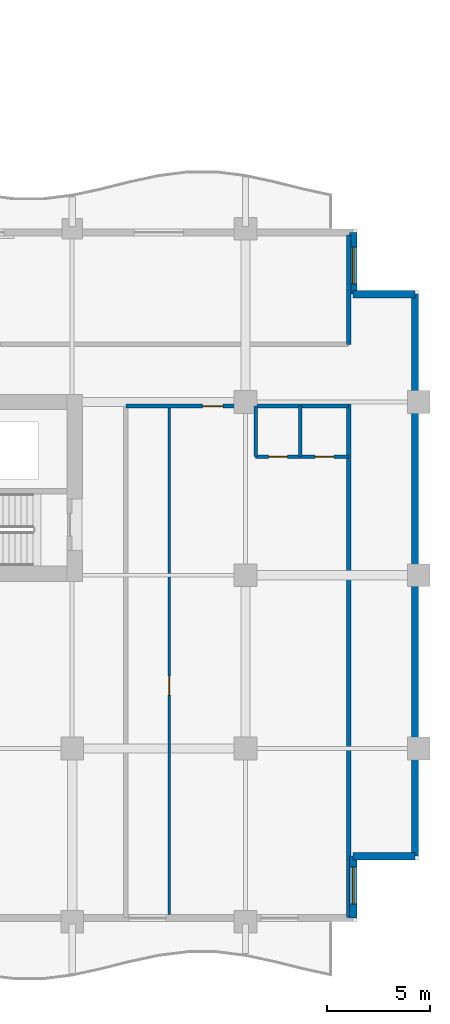
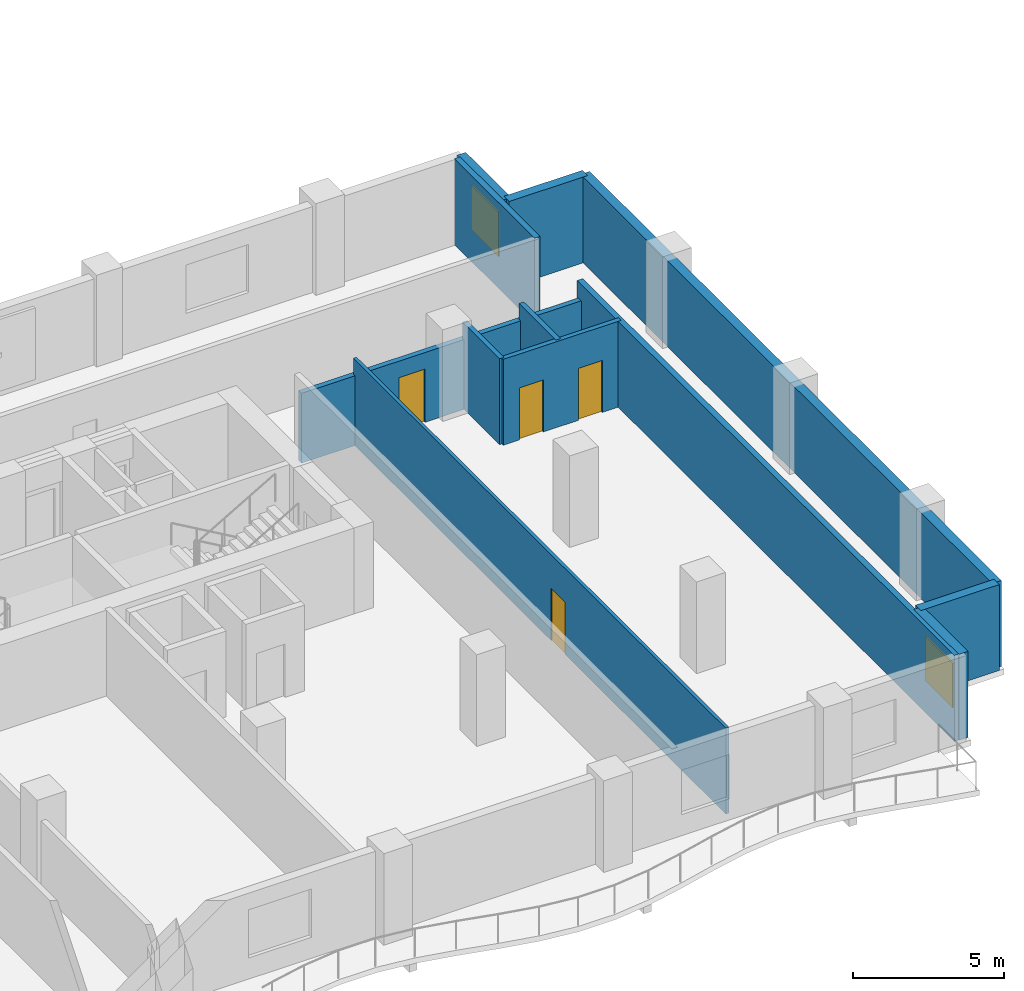
# One storey, part 9 of 16: 12 walls, 4 doors, 2 windows, 6 openings.
"""IFC4 building model written with IfcOpenShell, lengths in metres."""

from ifc_helpers import new_model, si_unit, direction, frame, frame_2d, origin, place, context, subcontext, project, spatial, rectangle, extrude, material, layer, layer_set, type_object, element, fill, save


model = new_model("IFC4")

# Units and contexts
model_context = context("Model", 3, precision=1e-05, world=origin(), true_north=direction((0.0, 1.0)))
body_context = subcontext(model_context, "Body", "Model", "MODEL_VIEW")
ifc_project = project(units=[si_unit("LENGTHUNIT", "METRE"), si_unit("AREAUNIT", "SQUARE_METRE"), si_unit("VOLUMEUNIT", "CUBIC_METRE"), si_unit("PLANEANGLEUNIT", "RADIAN"), si_unit("MASSUNIT", "GRAM", prefix="KILO")], contexts=[model_context])

# Site, building, storey
site_placement = place(None, origin())
site = spatial("IfcSite", under=ifc_project, at=site_placement, CompositionType="ELEMENT")
building_placement = place(site_placement, origin())
building = spatial("IfcBuilding", under=site, at=building_placement, Name="Koriwani Terraces Tower", CompositionType="ELEMENT")
storey_placement = place(building_placement, frame((0.0, 0.0, 179.10009765625)))
storey = spatial("IfcBuildingStorey", under=building, at=storey_placement, Name="L43", CompositionType="ELEMENT", Elevation=179.10009765625)

# Wall, opening, door
ifc_material_1 = material(Name="Autoclaved Cellular Concrete Blockwork", Category="masonry")
ifc_layer_1 = layer(ifc_material_1, 0.199951171875, Name="Autoclaved Cellular Concrete Blockwork")
ifc_layer_set_1 = layer_set([ifc_layer_1], Name="Autoclaved Cellular Concrete Blockwork")
wall_type_1 = type_object("IfcWallType", Name="WALL_CORRIDOR_200", PredefinedType="PARTITIONING", material=ifc_layer_set_1)
wall_1_placement = place(storey_placement, frame((61.39990234375, 25.0, 0.0), z_axis=(0.0, 0.0, 1.0), x_axis=(1.0, 0.0, 0.0)))
wall_1 = element("IfcWall", 1, at=wall_1_placement, inside=storey, type_object=wall_type_1, Name="L43 Interior Wall WRCOR-L43-SE-0", PredefinedType="PARTITIONING", context=body_context, shape_type="SweptSolid", body=[
    extrude(rectangle(XDim=10.800048828125, YDim=0.199951171875, at=frame_2d((5.39990234375, 0.0))), origin(), (0.0, 0.0, 1.0), 2.81982421875),
])
opening_1_placement = place(wall_1_placement, frame((3.719970703125, 0.0, 0.0)))
opening_1 = element("IfcOpeningElement", 2, at=opening_1_placement, cuts=wall_1, Name="Opening D-05", PredefinedType="OPENING", context=body_context, shape_type="SweptSolid", body=[
    extrude(rectangle(XDim=1.0, YDim=2.14990234375, at=frame_2d((0.5, 1.074951171875))), frame((0.0, 0.10986328125, 0.0), z_axis=(0.0, -1.0, 0.0), x_axis=(1.0, 0.0, 0.0)), (0.0, 0.0, 1.0), 0.219970703125),
])
ifc_material_2 = material(Name="Architectural Oak Fire Door", Category="wood")
door_type_1 = type_object("IfcDoorType", Name="DOOR_SUITE_ENTRY_1000X2150", OperationType="NOTDEFINED", PredefinedType="DOOR", material=ifc_material_2)
door_1_placement = place(opening_1_placement, origin())
door_1 = element("IfcDoor", 3, at=door_1_placement, inside=storey, type_object=door_type_1, Name="Apartment 43SE1 Entrance Door", OperationType="SINGLE_SWING_RIGHT", OverallHeight=2.14990234375, OverallWidth=1.0, PredefinedType="DOOR", context=body_context, shape_type="SweptSolid", body=[
    extrude(rectangle(XDim=1.0, YDim=2.14990234375, at=frame_2d((0.5, 1.074951171875))), frame((0.0, 0.02490234375, 0.0), z_axis=(0.0, -1.0, 0.0), x_axis=(1.0, 0.0, 0.0)), (0.0, 0.0, 1.0), 0.050048828125),
])
fill(opening_1, door_1)

# Walls
ifc_layer_2 = layer(ifc_material_1, 0.219970703125, Name="Autoclaved Cellular Concrete Blockwork")
ifc_layer_set_2 = layer_set([ifc_layer_2], Name="Autoclaved Cellular Concrete Blockwork")
wall_type_2 = type_object("IfcWallType", Name="WALL_DEMISING_220", PredefinedType="PARTITIONING", material=ifc_layer_set_2)
wall_2_placement = place(storey_placement, frame((72.199951171875, 0.199951171875, 0.0), z_axis=(0.0, 0.0, 1.0), x_axis=(0.0, 1.0, 0.0)))
element("IfcWall", 4, at=wall_2_placement, inside=storey, type_object=wall_type_2, Name="L43 Interior Wall WRDEME-L43-SE", PredefinedType="PARTITIONING", context=body_context, shape_type="SweptSolid", body=[
    extrude(rectangle(XDim=24.97998046875, YDim=0.219970703125, at=frame_2d((12.489990234375, 0.0))), origin(), (0.0, 0.0, 1.0), 3.469970703125),
])
wall_3_placement = place(storey_placement, frame((72.199951171875, 28.0, 0.0), z_axis=(0.0, 0.0, 1.0), x_axis=(0.0, 1.0, 0.0)))
element("IfcWall", 5, at=wall_3_placement, inside=storey, type_object=wall_type_2, Name="L43 Interior Wall WSEC-E-L43", PredefinedType="PARTITIONING", context=body_context, shape_type="SweptSolid", body=[
    extrude(rectangle(XDim=5.300048828125, YDim=0.219970703125, at=frame_2d((2.64990234375, 0.0))), origin(), (0.0, 0.0, 1.0), 3.469970703125),
])

# Wall, opening, window
ifc_material_3 = material(Name="Concrete C50/60", Category="concrete")
ifc_layer_3 = layer(ifc_material_3, 0.35009765625, Name="Concrete C50/60")
ifc_layer_set_3 = layer_set([ifc_layer_3], Name="Concrete C50/60")
wall_type_3 = type_object("IfcWallType", Name="WALL_EXT_BRUTALIST_350", PredefinedType="STANDARD", material=ifc_layer_set_3)
wall_4_placement = place(storey_placement, frame((72.425048828125, 33.425048828125, 0.0), z_axis=(0.0, 0.0, 1.0), x_axis=(0.0, -1.0, 0.0)))
wall_4 = element("IfcWall", 6, at=wall_4_placement, inside=storey, type_object=wall_type_3, Name="L43 Fair-Faced Brutalist Exterior Wall (N10)", PredefinedType="STANDARD", context=body_context, shape_type="SweptSolid", body=[
    extrude(rectangle(XDim=3.0, YDim=0.35009765625, at=frame_2d((1.5, 0.0))), origin(), (0.0, 0.0, 1.0), 3.469970703125),
])
opening_2_placement = place(wall_4_placement, frame((0.71240234375, 0.0, 0.85009765625)))
opening_2 = element("IfcOpeningElement", 7, at=opening_2_placement, cuts=wall_4, Name="Opening W-04", PredefinedType="OPENING", context=body_context, shape_type="SweptSolid", body=[
    extrude(rectangle(XDim=1.800048828125, YDim=1.800048828125, at=frame_2d((0.89990234375, 0.89990234375))), frame((0.0, 0.18505859375, 0.0), z_axis=(0.0, -1.0, 0.0), x_axis=(1.0, 0.0, 0.0)), (0.0, 0.0, 1.0), 0.3701171875),
])
ifc_material_4 = material(Name="Tempered Laminated Low-E Glass", Category="glass")
window_type = type_object("IfcWindowType", Name="WIN_RES_BED_1800X1800", PartitioningType="DOUBLE_PANEL_VERTICAL", PredefinedType="WINDOW", material=ifc_material_4)
window_1_placement = place(opening_2_placement, origin())
window_1 = element("IfcWindow", 8, at=window_1_placement, inside=storey, type_object=window_type, Name="L43 Exterior Window (N10-R64)", OverallHeight=1.800048828125, OverallWidth=1.800048828125, PartitioningType="SINGLE_PANEL", PredefinedType="WINDOW", context=body_context, shape_type="SweptSolid", body=[
    extrude(rectangle(XDim=1.800048828125, YDim=1.800048828125, at=frame_2d((0.89990234375, 0.89990234375))), frame((0.0, 0.030029296875, 0.0), z_axis=(0.0, -1.0, 0.0), x_axis=(1.0, 0.0, 0.0)), (0.0, 0.0, 1.0), 0.06005859375),
])
fill(opening_2, window_1)

# Walls
wall_5_placement = place(storey_placement, frame((72.425048828125, 30.425048828125, 0.0), z_axis=(0.0, 0.0, 1.0), x_axis=(1.0, 0.0, 0.0)))
element("IfcWall", 9, at=wall_5_placement, inside=storey, type_object=wall_type_3, Name="L43 Fair-Faced Brutalist Exterior Wall (N11)", PredefinedType="STANDARD", context=body_context, shape_type="SweptSolid", body=[
    extrude(rectangle(XDim=3.0, YDim=0.35009765625, at=frame_2d((1.5, 0.0))), origin(), (0.0, 0.0, 1.0), 3.469970703125),
])
wall_6_placement = place(storey_placement, frame((75.425048828125, 30.425048828125, 0.0), z_axis=(0.0, 0.0, 1.0), x_axis=(0.0, -1.0, 0.0)))
element("IfcWall", 10, at=wall_6_placement, inside=storey, type_object=wall_type_3, Name="L43 Fair-Faced Brutalist Exterior Wall (E_TIP)", PredefinedType="STANDARD", context=body_context, shape_type="SweptSolid", body=[
    extrude(rectangle(XDim=27.25, YDim=0.35009765625, at=frame_2d((13.625, 0.0))), origin(), (0.0, 0.0, 1.0), 3.469970703125),
])
wall_7_placement = place(storey_placement, frame((75.425048828125, 3.175048828125, 0.0), z_axis=(0.0, 0.0, 1.0), x_axis=(-1.0, 0.0, 0.0)))
element("IfcWall", 11, at=wall_7_placement, inside=storey, type_object=wall_type_3, Name="L43 Fair-Faced Brutalist Exterior Wall (N13)", PredefinedType="STANDARD", context=body_context, shape_type="SweptSolid", body=[
    extrude(rectangle(XDim=3.0, YDim=0.35009765625, at=frame_2d((1.5, 0.0))), origin(), (0.0, 0.0, 1.0), 3.469970703125),
])

# Wall, opening, window
wall_8_placement = place(storey_placement, frame((72.425048828125, 3.175048828125, 0.0), z_axis=(0.0, 0.0, 1.0), x_axis=(0.0, -1.0, 0.0)))
wall_8 = element("IfcWall", 12, at=wall_8_placement, inside=storey, type_object=wall_type_3, Name="L43 Fair-Faced Brutalist Exterior Wall (N14)", PredefinedType="STANDARD", context=body_context, shape_type="SweptSolid", body=[
    extrude(rectangle(XDim=3.0, YDim=0.35009765625, at=frame_2d((1.5, 0.0))), origin(), (0.0, 0.0, 1.0), 3.469970703125),
])
opening_3_placement = place(wall_8_placement, frame((0.5224609375, 0.0, 0.85009765625)))
opening_3 = element("IfcOpeningElement", 13, at=opening_3_placement, cuts=wall_8, Name="Opening W-04", PredefinedType="OPENING", context=body_context, shape_type="SweptSolid", body=[
    extrude(rectangle(XDim=1.800048828125, YDim=1.800048828125, at=frame_2d((0.89990234375, 0.89990234375))), frame((0.0, 0.18505859375, 0.0), z_axis=(0.0, -1.0, 0.0), x_axis=(1.0, 0.0, 0.0)), (0.0, 0.0, 1.0), 0.3701171875),
])
window_2_placement = place(opening_3_placement, origin())
window_2 = element("IfcWindow", 14, at=window_2_placement, inside=storey, type_object=window_type, Name="L43 Exterior Window (N14-R63)", OverallHeight=1.800048828125, OverallWidth=1.800048828125, PartitioningType="SINGLE_PANEL", PredefinedType="WINDOW", context=body_context, shape_type="SweptSolid", body=[
    extrude(rectangle(XDim=1.800048828125, YDim=1.800048828125, at=frame_2d((0.89990234375, 0.89990234375))), frame((0.0, 0.030029296875, 0.0), z_axis=(0.0, -1.0, 0.0), x_axis=(1.0, 0.0, 0.0)), (0.0, 0.0, 1.0), 0.06005859375),
])
fill(opening_3, window_2)

# Wall, opening, door
ifc_material_5 = material(Name="Fire-Rated Acoustic Gypsum Partition", Category="masonry")
ifc_layer_4 = layer(ifc_material_5, 0.125, Name="Fire-Rated Acoustic Gypsum Partition")
ifc_layer_set_4 = layer_set([ifc_layer_4], Name="Fire-Rated Acoustic Gypsum Partition")
wall_type_4 = type_object("IfcWallType", Name="WALL_INT_125", PredefinedType="PARTITIONING", material=ifc_layer_set_4)
wall_9_placement = place(storey_placement, frame((63.5, 0.35009765625, 0.0), z_axis=(0.0, 0.0, 1.0), x_axis=(0.0, 1.0, 0.0)))
wall_9 = element("IfcWall", 15, at=wall_9_placement, inside=storey, type_object=wall_type_4, Name="L43 Interior Wall WRBED1-L43-SE-0", PredefinedType="PARTITIONING", context=body_context, shape_type="SweptSolid", body=[
    extrude(rectangle(XDim=24.64990234375, YDim=0.125, at=frame_2d((12.324951171875, 0.0))), origin(), (0.0, 0.0, 1.0), 3.469970703125),
])
opening_4_placement = place(wall_9_placement, frame((10.639892578125, 0.0, 0.0)))
opening_4 = element("IfcOpeningElement", 16, at=opening_4_placement, cuts=wall_9, Name="Opening D-06", PredefinedType="OPENING", context=body_context, shape_type="SweptSolid", body=[
    extrude(rectangle(XDim=0.919921875, YDim=2.10009765625, at=frame_2d((0.4599609375, 1.050048828125))), frame((0.0, 0.072509765625, 0.0), z_axis=(0.0, -1.0, 0.0), x_axis=(1.0, 0.0, 0.0)), (0.0, 0.0, 1.0), 0.14501953125),
])
door_type_2 = type_object("IfcDoorType", Name="DOOR_ROOM_INT_920X2100", OperationType="NOTDEFINED", PredefinedType="DOOR", material=ifc_material_2)
door_2_placement = place(opening_4_placement, origin())
door_2 = element("IfcDoor", 17, at=door_2_placement, inside=storey, type_object=door_type_2, Name="Apartment 43SE1 Master Bedroom Door", OperationType="SINGLE_SWING_LEFT", OverallHeight=2.10009765625, OverallWidth=0.919921875, PredefinedType="DOOR", context=body_context, shape_type="SweptSolid", body=[
    extrude(rectangle(XDim=0.919921875, YDim=2.10009765625, at=frame_2d((0.4599609375, 1.050048828125))), frame((0.0, 0.02490234375, 0.0), z_axis=(0.0, -1.0, 0.0), x_axis=(1.0, 0.0, 0.0)), (0.0, 0.0, 1.0), 0.050048828125),
])
fill(opening_4, door_2)

# Wall, openings, doors
ifc_layer_5 = layer(ifc_material_5, 0.179931640625, Name="Fire-Rated Acoustic Gypsum Partition")
ifc_layer_set_5 = layer_set([ifc_layer_5], Name="Fire-Rated Acoustic Gypsum Partition")
wall_type_5 = type_object("IfcWallType", Name="WALL_PLUMBING_180", PredefinedType="PLUMBINGWALL", material=ifc_layer_set_5)
wall_10_placement = place(storey_placement, frame((67.699951171875, 22.550048828125, 0.0), z_axis=(0.0, 0.0, 1.0), x_axis=(1.0, 0.0, 0.0)))
wall_10 = element("IfcWall", 18, at=wall_10_placement, inside=storey, type_object=wall_type_5, Name="L43 Interior Wall WRSVC-L43-SE-0", PredefinedType="PLUMBINGWALL", context=body_context, shape_type="SweptSolid", body=[
    extrude(rectangle(XDim=4.5, YDim=0.179931640625, at=frame_2d((2.25, 0.0))), origin(), (0.0, 0.0, 1.0), 3.469970703125),
])
opening_5_placement = place(wall_10_placement, frame((0.6298828125, 0.0, 0.0)))
opening_5 = element("IfcOpeningElement", 19, at=opening_5_placement, cuts=wall_10, Name="Opening D-07", PredefinedType="OPENING", context=body_context, shape_type="SweptSolid", body=[
    extrude(rectangle(XDim=0.89990234375, YDim=2.10009765625, at=frame_2d((0.449951171875, 1.050048828125))), frame((0.0, 0.10009765625, 0.0), z_axis=(0.0, -1.0, 0.0), x_axis=(1.0, 0.0, 0.0)), (0.0, 0.0, 1.0), 0.199951171875),
])
opening_6_placement = place(wall_10_placement, frame((2.8701171875, 0.0, 0.0)))
opening_6 = element("IfcOpeningElement", 20, at=opening_6_placement, cuts=wall_10, Name="Opening D-06", PredefinedType="OPENING", context=body_context, shape_type="SweptSolid", body=[
    extrude(rectangle(XDim=0.919921875, YDim=2.10009765625, at=frame_2d((0.4599609375, 1.050048828125))), frame((0.0, 0.10009765625, 0.0), z_axis=(0.0, -1.0, 0.0), x_axis=(1.0, 0.0, 0.0)), (0.0, 0.0, 1.0), 0.199951171875),
])
door_type_3 = type_object("IfcDoorType", Name="DOOR_BATH_INT_900X2100", OperationType="NOTDEFINED", PredefinedType="DOOR", material=ifc_material_2)
door_3_placement = place(opening_5_placement, origin())
door_3 = element("IfcDoor", 21, at=door_3_placement, inside=storey, type_object=door_type_3, Name="Apartment 43SE1 Bathroom Door", OperationType="SINGLE_SWING_LEFT", OverallHeight=2.10009765625, OverallWidth=0.89990234375, PredefinedType="DOOR", context=body_context, shape_type="SweptSolid", body=[
    extrude(rectangle(XDim=0.89990234375, YDim=2.10009765625, at=frame_2d((0.449951171875, 1.050048828125))), frame((0.0, 0.02490234375, 0.0), z_axis=(0.0, -1.0, 0.0), x_axis=(1.0, 0.0, 0.0)), (0.0, 0.0, 1.0), 0.050048828125),
])
fill(opening_5, door_3)
door_4_placement = place(opening_6_placement, origin())
door_4 = element("IfcDoor", 22, at=door_4_placement, inside=storey, type_object=door_type_2, Name="Apartment 43SE1 Kitchen Door", OperationType="SINGLE_SWING_RIGHT", OverallHeight=2.10009765625, OverallWidth=0.919921875, PredefinedType="DOOR", context=body_context, shape_type="SweptSolid", body=[
    extrude(rectangle(XDim=0.919921875, YDim=2.10009765625, at=frame_2d((0.4599609375, 1.050048828125))), frame((0.0, 0.02490234375, 0.0), z_axis=(0.0, -1.0, 0.0), x_axis=(1.0, 0.0, 0.0)), (0.0, 0.0, 1.0), 0.050048828125),
])
fill(opening_6, door_4)

# Walls
for number, where, z_axis, x_axis, name in (
    (23, (67.699951171875, 22.550048828125, 0.0), (0.0, 0.0, 1.0), (0.0, 1.0, 0.0), "L43 Interior Wall WRSVCS-L43-SE-0"),
    (24, (69.860107421875, 22.550048828125, 0.0), (0.0, 0.0, 1.0), (0.0, 1.0, 0.0), "L43 Interior Wall WRSVCM-L43-SE-0"),
):
    element("IfcWall", number, at=place(storey_placement, frame(where, z_axis=z_axis, x_axis=x_axis)), inside=storey, type_object=wall_type_5, Name=name, PredefinedType="PLUMBINGWALL", context=body_context, shape_type="SweptSolid", body=[
        extrude(rectangle(XDim=2.449951171875, YDim=0.179931640625, at=frame_2d((1.22509765625, 0.0))), origin(), (0.0, 0.0, 1.0), 3.469970703125),
    ])

save(model, "model.ifc")
